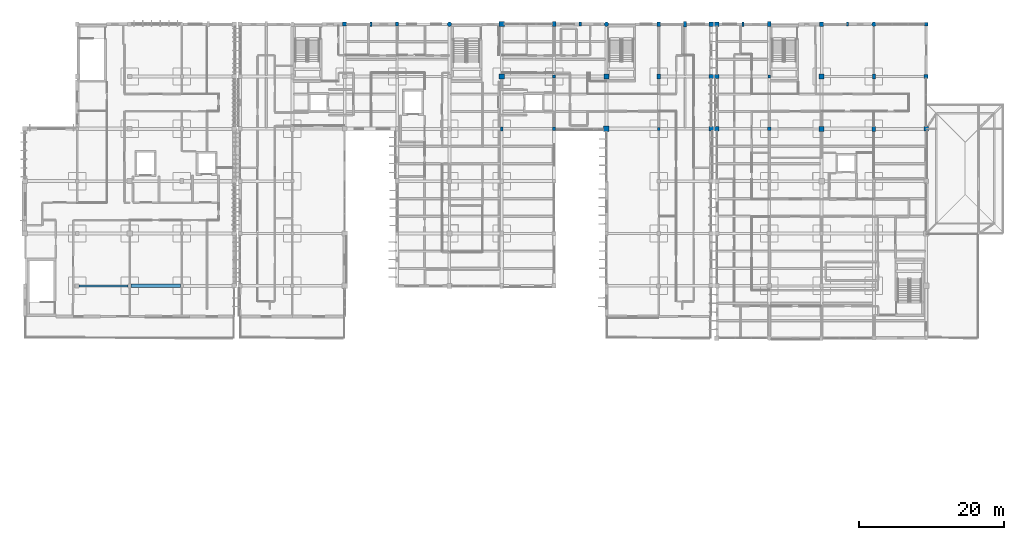
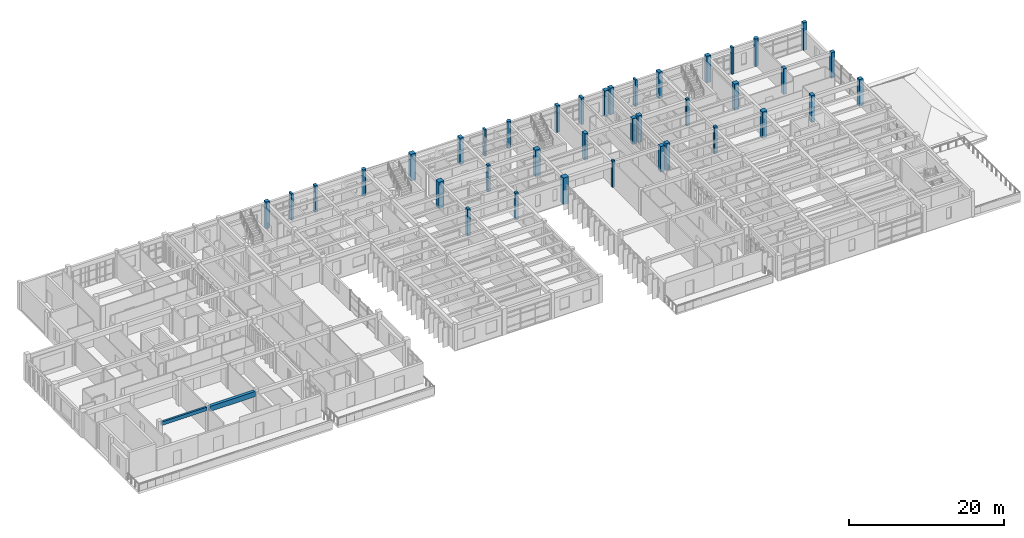
# One storey, part 2 of 55: 38 columns, 2 beams.
"""IFC4 building model written with IfcOpenShell, lengths in metres."""

from ifc_helpers import new_model, si_unit, direction, frame, origin, origin_2d, place, context, subcontext, project, spatial, rectangle, circle, extrude, material, material_profile, profile_set, type_object, element, save


model = new_model("IFC4")

# Units and contexts
model_context = context("Model", 3, precision=1e-05, world=origin(), true_north=direction((0.0, 1.0)))
body_context = subcontext(model_context, "Body", "Model", "MODEL_VIEW")
ifc_project = project(units=[si_unit("LENGTHUNIT", "METRE"), si_unit("AREAUNIT", "SQUARE_METRE"), si_unit("VOLUMEUNIT", "CUBIC_METRE"), si_unit("PLANEANGLEUNIT", "RADIAN"), si_unit("MASSUNIT", "GRAM", prefix="KILO")], contexts=[model_context])

# Site, building, storey
site_placement = place(None, origin())
site = spatial("IfcSite", under=ifc_project, at=site_placement, CompositionType="ELEMENT")
building_placement = place(site_placement, origin())
building = spatial("IfcBuilding", under=site, at=building_placement, Name="Steenspoor Specialist Clinic", CompositionType="ELEMENT")
storey_placement = place(building_placement, frame((0.0, 0.0, 13.199951171875)))
storey = spatial("IfcBuildingStorey", under=building, at=storey_placement, Name="L03", CompositionType="ELEMENT", Elevation=13.199951171875)

# Columns
ifc_material_1 = material(Name="Concrete C40/50", Category="concrete")
ifc_material_profile_1 = material_profile(ifc_material_1, rectangle(XDim=0.39990234375, YDim=0.39990234375, at=origin_2d()), Name="RC-COL-400X400")
ifc_profile_set_1 = profile_set([ifc_material_profile_1], Name="Concrete C40/50")
column_type_1 = type_object("IfcColumnType", Name="COL-RC-400", PredefinedType="COLUMN", material=ifc_profile_set_1)
for number, where, z_axis, x_axis, name in (
    (1, (95.60009765625, 101.14990234375, 0.0), (0.0, 0.0, 1.0), (1.0, 0.0, 0.0), "Column COL-L03-0408"),
    (2, (110.0, 93.949951171875, 0.0), (0.0, 0.0, 1.0), (1.0, 0.0, 0.0), "Column COL-L03-0464"),
    (3, (125.199951171875, 101.14990234375, 0.0), (0.0, 0.0, 1.0), (1.0, 0.0, 0.0), "Column COL-L03-0704"),
):
    element("IfcColumn", number, at=place(storey_placement, frame(where, z_axis=z_axis, x_axis=x_axis)), inside=storey, type_object=column_type_1, Name=name, PredefinedType="COLUMN", context=body_context, shape_type="SweptSolid", body=[
        extrude(rectangle(XDim=0.39990234375, YDim=0.39990234375, at=origin_2d()), origin(), (0.0, 0.0, 1.0), 4.199951171875),
    ])
ifc_material_profile_2 = material_profile(ifc_material_1, rectangle(XDim=0.39990234375, YDim=0.550048828125, at=origin_2d()), Name="RC-COL-400X550")
ifc_profile_set_2 = profile_set([ifc_material_profile_2], Name="Concrete C40/50")
column_type_2 = type_object("IfcColumnType", Name="COL-RC-400X550", PredefinedType="COLUMN", material=ifc_profile_set_2)
for number, where, z_axis, x_axis, name in (
    (4, (74.0, 108.35009765625, 0.0), (0.0, 0.0, 1.0), (1.0, 0.0, 0.0), "Column COL-L03-0303"),
    (5, (88.39990234375, 93.949951171875, 0.0), (0.0, 0.0, 1.0), (1.0, 0.0, 0.0), "Column COL-L03-0365"),
):
    element("IfcColumn", number, at=place(storey_placement, frame(where, z_axis=z_axis, x_axis=x_axis)), inside=storey, type_object=column_type_2, Name=name, PredefinedType="COLUMN", context=body_context, shape_type="SweptSolid", body=[
        extrude(rectangle(XDim=0.39990234375, YDim=0.550048828125, at=origin_2d()), origin(), (0.0, 0.0, 1.0), 4.199951171875),
    ])
ifc_material_profile_3 = material_profile(ifc_material_1, rectangle(XDim=0.449951171875, YDim=0.449951171875, at=origin_2d()), Name="RC-COL-450X450")
ifc_profile_set_3 = profile_set([ifc_material_profile_3], Name="Concrete C40/50")
column_type_3 = type_object("IfcColumnType", Name="COL-RC-450", PredefinedType="COLUMN", material=ifc_profile_set_3)
for number, where, z_axis, x_axis, name in (
    (6, (95.60009765625, 93.949951171875, 0.0), (0.0, 0.0, 1.0), (1.0, 0.0, 0.0), "Column COL-L03-0402"),
    (7, (125.199951171875, 93.949951171875, 0.0), (0.0, 0.0, 1.0), (1.0, 0.0, 0.0), "Column COL-L03-0699"),
):
    element("IfcColumn", number, at=place(storey_placement, frame(where, z_axis=z_axis, x_axis=x_axis)), inside=storey, type_object=column_type_3, Name=name, PredefinedType="COLUMN", context=body_context, shape_type="SweptSolid", body=[
        extrude(rectangle(XDim=0.449951171875, YDim=0.449951171875, at=origin_2d()), origin(), (0.0, 0.0, 1.0), 4.199951171875),
    ])
ifc_material_profile_4 = material_profile(ifc_material_1, rectangle(XDim=0.449951171875, YDim=0.64990234375, at=origin_2d()), Name="RC-COL-450X650")
ifc_profile_set_4 = profile_set([ifc_material_profile_4], Name="Concrete C40/50")
column_type_4 = type_object("IfcColumnType", Name="COL-RC-450X650", PredefinedType="COLUMN", material=ifc_profile_set_4)
column_1_placement = place(storey_placement, frame((110.0, 108.35009765625, 0.0), z_axis=(0.0, 0.0, 1.0), x_axis=(1.0, 0.0, 0.0)))
element("IfcColumn", 8, at=column_1_placement, inside=storey, type_object=column_type_4, Name="Column COL-L03-0476", PredefinedType="COLUMN", context=body_context, shape_type="SweptSolid", body=[
    extrude(rectangle(XDim=0.449951171875, YDim=0.64990234375, at=origin_2d()), origin(), (0.0, 0.0, 1.0), 4.199951171875),
])
column_2_placement = place(storey_placement, frame((139.60009765625, 101.14990234375, 0.0), z_axis=(0.0, 0.0, 1.0), x_axis=(1.0, 0.0, 0.0)))
element("IfcColumn", 9, at=column_2_placement, inside=storey, type_object=column_type_4, Name="Column COL-L03-0772", PredefinedType="COLUMN", context=body_context, shape_type="SweptSolid", body=[
    extrude(rectangle(XDim=0.449951171875, YDim=0.64990234375, at=origin_2d()), origin(), (0.0, 0.0, 1.0), 4.050048828125),
])
ifc_material_profile_5 = material_profile(ifc_material_1, rectangle(XDim=0.5, YDim=0.5, at=origin_2d()), Name="RC-COL-500X500")
ifc_profile_set_5 = profile_set([ifc_material_profile_5], Name="Concrete C40/50")
column_type_5 = type_object("IfcColumnType", Name="COL-RC-500", PredefinedType="COLUMN", material=ifc_profile_set_5)
column_3_placement = place(storey_placement, frame((146.800048828125, 108.35009765625, 0.0), z_axis=(0.0, 0.0, 1.0), x_axis=(1.0, 0.0, 0.0)))
element("IfcColumn", 10, at=column_3_placement, inside=storey, type_object=column_type_5, Name="Column COL-L03-0808", PredefinedType="COLUMN", context=body_context, shape_type="SweptSolid", body=[
    extrude(rectangle(XDim=0.5, YDim=0.5, at=origin_2d()), origin(), (0.0, 0.0, 1.0), 4.360107421875),
])
ifc_material_profile_6 = material_profile(ifc_material_1, rectangle(XDim=0.5, YDim=0.699951171875, at=origin_2d()), Name="RC-COL-500X700")
ifc_profile_set_6 = profile_set([ifc_material_profile_6], Name="Concrete C40/50")
column_type_6 = type_object("IfcColumnType", Name="COL-RC-500X700", PredefinedType="COLUMN", material=ifc_profile_set_6)
for number, where, z_axis, x_axis, name in (
    (11, (95.60009765625, 108.35009765625, 0.0), (0.0, 0.0, 1.0), (1.0, 0.0, 0.0), "Column COL-L03-0414"),
    (12, (110.0, 101.14990234375, 0.0), (0.0, 0.0, 1.0), (1.0, 0.0, 0.0), "Column COL-L03-0470"),
    (13, (125.199951171875, 108.35009765625, 0.0), (0.0, 0.0, 1.0), (1.0, 0.0, 0.0), "Column COL-L03-0709"),
    (14, (139.60009765625, 93.949951171875, 0.0), (0.0, 0.0, 1.0), (1.0, 0.0, 0.0), "Column COL-L03-0767"),
):
    element("IfcColumn", number, at=place(storey_placement, frame(where, z_axis=z_axis, x_axis=x_axis)), inside=storey, type_object=column_type_6, Name=name, PredefinedType="COLUMN", context=body_context, shape_type="SweptSolid", body=[
        extrude(rectangle(XDim=0.5, YDim=0.699951171875, at=origin_2d()), origin(), (0.0, 0.0, 1.0), 4.199951171875),
    ])
ifc_material_profile_7 = material_profile(ifc_material_1, rectangle(XDim=0.550048828125, YDim=0.550048828125, at=origin_2d()), Name="RC-COL-550X550")
ifc_profile_set_7 = profile_set([ifc_material_profile_7], Name="Concrete C40/50")
column_type_7 = type_object("IfcColumnType", Name="COL-RC-550", PredefinedType="COLUMN", material=ifc_profile_set_7)
column_4_placement = place(storey_placement, frame((66.800048828125, 108.35009765625, 0.0), z_axis=(0.0, 0.0, 1.0), x_axis=(1.0, 0.0, 0.0)))
element("IfcColumn", 15, at=column_4_placement, inside=storey, type_object=column_type_7, Name="Column COL-L03-0266", PredefinedType="COLUMN", context=body_context, shape_type="SweptSolid", body=[
    extrude(rectangle(XDim=0.550048828125, YDim=0.550048828125, at=origin_2d()), origin(), (0.0, 0.0, 1.0), 4.199951171875),
])
column_5_placement = place(storey_placement, frame((146.800048828125, 101.14990234375, 0.0), z_axis=(0.0, 0.0, 1.0), x_axis=(1.0, 0.0, 0.0)))
element("IfcColumn", 16, at=column_5_placement, inside=storey, type_object=column_type_7, Name="Column COL-L03-0804", PredefinedType="COLUMN", context=body_context, shape_type="SweptSolid", body=[
    extrude(rectangle(XDim=0.550048828125, YDim=0.550048828125, at=origin_2d()), origin(), (0.0, 0.0, 1.0), 4.050048828125),
])
ifc_material_profile_8 = material_profile(ifc_material_1, rectangle(XDim=0.60009765625, YDim=0.60009765625, at=origin_2d()), Name="RC-COL-600X600")
ifc_profile_set_8 = profile_set([ifc_material_profile_8], Name="Concrete C40/50")
column_type_8 = type_object("IfcColumnType", Name="COL-RC-600", PredefinedType="COLUMN", material=ifc_profile_set_8)
for number, where, z_axis, x_axis, name in (
    (17, (117.199951171875, 93.949951171875, 0.0), (0.0, 0.0, 1.0), (1.0, 0.0, 0.0), "Column COL-L03-0497"),
    (18, (117.199951171875, 101.14990234375, 0.0), (0.0, 0.0, 1.0), (1.0, 0.0, 0.0), "Column COL-L03-0501"),
    (19, (117.199951171875, 108.35009765625, 0.0), (0.0, 0.0, 1.0), (1.0, 0.0, 0.0), "Column COL-L03-0505"),
):
    element("IfcColumn", number, at=place(storey_placement, frame(where, z_axis=z_axis, x_axis=x_axis)), inside=storey, type_object=column_type_8, Name=name, PredefinedType="COLUMN", context=body_context, shape_type="SweptSolid", body=[
        extrude(rectangle(XDim=0.60009765625, YDim=0.60009765625, at=origin_2d()), origin(), (0.0, 0.0, 1.0), 4.050048828125),
    ])
for number, where, z_axis, x_axis, name in (
    (20, (118.0, 93.949951171875, 0.0), (0.0, 0.0, 1.0), (1.0, 0.0, 0.0), "Column COL-L03-0665"),
    (21, (118.0, 101.14990234375, 0.0), (0.0, 0.0, 1.0), (1.0, 0.0, 0.0), "Column COL-L03-0670"),
    (22, (118.0, 108.35009765625, 0.0), (0.0, 0.0, 1.0), (1.0, 0.0, 0.0), "Column COL-L03-0675"),
    (23, (132.39990234375, 108.35009765625, 0.0), (0.0, 0.0, 1.0), (1.0, 0.0, 0.0), "Column COL-L03-0743"),
    (24, (146.800048828125, 93.949951171875, 0.0), (0.0, 0.0, 1.0), (1.0, 0.0, 0.0), "Column COL-L03-0799"),
):
    element("IfcColumn", number, at=place(storey_placement, frame(where, z_axis=z_axis, x_axis=x_axis)), inside=storey, type_object=column_type_8, Name=name, PredefinedType="COLUMN", context=body_context, shape_type="SweptSolid", body=[
        extrude(rectangle(XDim=0.60009765625, YDim=0.60009765625, at=origin_2d()), origin(), (0.0, 0.0, 1.0), 4.199951171875),
    ])
ifc_material_profile_9 = material_profile(ifc_material_1, rectangle(XDim=0.64990234375, YDim=0.64990234375, at=origin_2d()), Name="RC-COL-650X650")
ifc_profile_set_9 = profile_set([ifc_material_profile_9], Name="Concrete C40/50")
column_type_9 = type_object("IfcColumnType", Name="COL-RC-650", PredefinedType="COLUMN", material=ifc_profile_set_9)
column_6_placement = place(storey_placement, frame((132.39990234375, 101.14990234375, 0.0), z_axis=(0.0, 0.0, 1.0), x_axis=(1.0, 0.0, 0.0)))
element("IfcColumn", 25, at=column_6_placement, inside=storey, type_object=column_type_9, Name="Column COL-L03-0738", PredefinedType="COLUMN", context=body_context, shape_type="SweptSolid", body=[
    extrude(rectangle(XDim=0.64990234375, YDim=0.64990234375, at=origin_2d()), origin(), (0.0, 0.0, 1.0), 4.199951171875),
])
ifc_material_profile_10 = material_profile(ifc_material_1, rectangle(XDim=0.699951171875, YDim=0.699951171875, at=origin_2d()), Name="RC-COL-700X700")
ifc_profile_set_10 = profile_set([ifc_material_profile_10], Name="Concrete C40/50")
column_type_10 = type_object("IfcColumnType", Name="COL-RC-700", PredefinedType="COLUMN", material=ifc_profile_set_10)
for number, where, z_axis, x_axis, name in (
    (26, (88.39990234375, 108.35009765625, 0.0), (0.0, 0.0, 1.0), (1.0, 0.0, 0.0), "Column COL-L03-0377"),
    (27, (102.800048828125, 101.14990234375, 0.0), (0.0, 0.0, 1.0), (1.0, 0.0, 0.0), "Column COL-L03-0437"),
    (28, (132.39990234375, 93.949951171875, 0.0), (0.0, 0.0, 1.0), (1.0, 0.0, 0.0), "Column COL-L03-0733"),
):
    element("IfcColumn", number, at=place(storey_placement, frame(where, z_axis=z_axis, x_axis=x_axis)), inside=storey, type_object=column_type_10, Name=name, PredefinedType="COLUMN", context=body_context, shape_type="SweptSolid", body=[
        extrude(rectangle(XDim=0.699951171875, YDim=0.699951171875, at=origin_2d()), origin(), (0.0, 0.0, 1.0), 4.199951171875),
    ])
ifc_material_profile_11 = material_profile(ifc_material_1, rectangle(XDim=0.75, YDim=0.75, at=origin_2d()), Name="RC-COL-750X750")
ifc_profile_set_11 = profile_set([ifc_material_profile_11], Name="Concrete C40/50")
column_type_11 = type_object("IfcColumnType", Name="COL-RC-750", PredefinedType="COLUMN", material=ifc_profile_set_11)
for number, where, z_axis, x_axis, name in (
    (29, (88.39990234375, 101.14990234375, 0.0), (0.0, 0.0, 1.0), (1.0, 0.0, 0.0), "Column COL-L03-0371"),
    (30, (102.800048828125, 93.949951171875, 0.0), (0.0, 0.0, 1.0), (1.0, 0.0, 0.0), "Column COL-L03-0431"),
):
    element("IfcColumn", number, at=place(storey_placement, frame(where, z_axis=z_axis, x_axis=x_axis)), inside=storey, type_object=column_type_11, Name=name, PredefinedType="COLUMN", context=body_context, shape_type="SweptSolid", body=[
        extrude(rectangle(XDim=0.75, YDim=0.75, at=origin_2d()), origin(), (0.0, 0.0, 1.0), 4.199951171875),
    ])
ifc_material_profile_12 = material_profile(ifc_material_1, circle(Radius=0.300048828125, at=origin_2d()), Name="RC-COL-D600")
ifc_profile_set_12 = profile_set([ifc_material_profile_12], Name="Concrete C40/50")
column_type_12 = type_object("IfcColumnType", Name="COL-RC-D600", PredefinedType="COLUMN", material=ifc_profile_set_12)
for number, where, z_axis, x_axis, name in (
    (31, (81.199951171875, 108.35009765625, 0.0), (0.0, 0.0, 1.0), (1.0, 0.0, 0.0), "Column COL-L03-0340"),
    (32, (102.800048828125, 108.35009765625, 0.0), (0.0, 0.0, 1.0), (1.0, 0.0, 0.0), "Column COL-L03-0443"),
):
    element("IfcColumn", number, at=place(storey_placement, frame(where, z_axis=z_axis, x_axis=x_axis)), inside=storey, type_object=column_type_12, Name=name, PredefinedType="COLUMN", context=body_context, shape_type="SweptSolid", body=[
        extrude(circle(Radius=0.300048828125, at=origin_2d()), origin(), (0.0, 0.0, 1.0), 4.199951171875),
    ])
column_7_placement = place(storey_placement, frame((139.60009765625, 108.35009765625, 0.0), z_axis=(0.0, 0.0, 1.0), x_axis=(1.0, 0.0, 0.0)))
element("IfcColumn", 33, at=column_7_placement, inside=storey, type_object=column_type_12, Name="Column COL-L03-0776", PredefinedType="COLUMN", context=body_context, shape_type="SweptSolid", body=[
    extrude(circle(Radius=0.300048828125, at=origin_2d()), origin(), (0.0, 0.0, 1.0), 4.360107421875),
])
ifc_material_profile_13 = material_profile(ifc_material_1, rectangle(XDim=0.280029296875, YDim=0.56005859375, at=origin_2d()), Name="RC-PIL-280X560")
ifc_profile_set_13 = profile_set([ifc_material_profile_13], Name="Concrete C40/50")
column_type_13 = type_object("IfcColumnType", Name="PIL-RC-280X560", PredefinedType="PILASTER", material=ifc_profile_set_13)
for number, where, z_axis, x_axis, name in (
    (34, (99.199951171875, 108.35009765625, 0.0), (0.0, 0.0, 1.0), (1.0, 0.0, 0.0), "Brick Pilaster PIL-L03-026"),
    (35, (136.0, 108.35009765625, 0.0), (0.0, 0.0, 1.0), (1.0, 0.0, 0.0), "Brick Pilaster PIL-L03-045"),
):
    element("IfcColumn", number, at=place(storey_placement, frame(where, z_axis=z_axis, x_axis=x_axis)), inside=storey, type_object=column_type_13, Name=name, PredefinedType="PILASTER", context=body_context, shape_type="SweptSolid", body=[
        extrude(rectangle(XDim=0.280029296875, YDim=0.56005859375, at=origin_2d()), origin(), (0.0, 0.0, 1.0), 4.199951171875),
    ])
ifc_material_profile_14 = material_profile(ifc_material_1, rectangle(XDim=0.300048828125, YDim=0.6201171875, at=origin_2d()), Name="RC-PIL-300X620")
ifc_profile_set_14 = profile_set([ifc_material_profile_14], Name="Concrete C40/50")
column_type_14 = type_object("IfcColumnType", Name="PIL-RC-300X620", PredefinedType="PILASTER", material=ifc_profile_set_14)
for number, where, z_axis, x_axis, name in (
    (36, (70.39990234375, 108.35009765625, 0.0), (0.0, 0.0, 1.0), (1.0, 0.0, 0.0), "Brick Pilaster PIL-L03-020"),
    (37, (121.60009765625, 108.35009765625, 0.0), (0.0, 0.0, 1.0), (1.0, 0.0, 0.0), "Brick Pilaster PIL-L03-040"),
):
    element("IfcColumn", number, at=place(storey_placement, frame(where, z_axis=z_axis, x_axis=x_axis)), inside=storey, type_object=column_type_14, Name=name, PredefinedType="PILASTER", context=body_context, shape_type="SweptSolid", body=[
        extrude(rectangle(XDim=0.300048828125, YDim=0.6201171875, at=origin_2d()), origin(), (0.0, 0.0, 1.0), 4.199951171875),
    ])
ifc_material_profile_15 = material_profile(ifc_material_1, rectangle(XDim=0.3798828125, YDim=0.760009765625, at=origin_2d()), Name="RC-PIL-380X760")
ifc_profile_set_15 = profile_set([ifc_material_profile_15], Name="Concrete C40/50")
column_type_15 = type_object("IfcColumnType", Name="PIL-RC-380X760", PredefinedType="PILASTER", material=ifc_profile_set_15)
column_8_placement = place(storey_placement, frame((113.60009765625, 108.35009765625, 0.0), z_axis=(0.0, 0.0, 1.0), x_axis=(1.0, 0.0, 0.0)))
element("IfcColumn", 38, at=column_8_placement, inside=storey, type_object=column_type_15, Name="Brick Pilaster PIL-L03-032", PredefinedType="PILASTER", context=body_context, shape_type="SweptSolid", body=[
    extrude(rectangle(XDim=0.3798828125, YDim=0.760009765625, at=origin_2d()), origin(), (0.0, 0.0, 1.0), 4.199951171875),
])

# Beams
ifc_material_2 = material(Name="Concrete C35/45", Category="concrete")
ifc_material_profile_16 = material_profile(ifc_material_2, rectangle(XDim=0.300048828125, YDim=0.550048828125, at=origin_2d()), Name="RC-BM-300X550")
ifc_profile_set_16 = profile_set([ifc_material_profile_16], Name="Concrete C35/45")
beam_type_1 = type_object("IfcBeamType", Name="BM-RC-300X550", PredefinedType="BEAM", material=ifc_profile_set_16)
beam_1_placement = place(storey_placement, frame((30.27001953125, 72.35009765625, 3.760009765625), z_axis=(1.0, 0.0, 0.0), x_axis=(0.0, 1.0, 0.0)))
element("IfcBeam", 39, at=beam_1_placement, inside=storey, type_object=beam_type_1, Name="BM-V5-L03-X1336", PredefinedType="BEAM", context=body_context, shape_type="SweptSolid", body=[
    extrude(rectangle(XDim=0.300048828125, YDim=0.550048828125, at=origin_2d()), origin(), (0.0, 0.0, 1.0), 6.73486328125),
])
ifc_material_profile_17 = material_profile(ifc_material_2, rectangle(XDim=0.449951171875, YDim=0.800048828125, at=origin_2d()), Name="RC-BM-450X800")
ifc_profile_set_17 = profile_set([ifc_material_profile_17], Name="Concrete C35/45")
beam_type_2 = type_object("IfcBeamType", Name="BM-RC-450X800", PredefinedType="BEAM", material=ifc_profile_set_17)
beam_2_placement = place(storey_placement, frame((37.39501953125, 72.35009765625, 3.635009765625), z_axis=(1.0, 0.0, 0.0), x_axis=(0.0, 1.0, 0.0)))
element("IfcBeam", 40, at=beam_2_placement, inside=storey, type_object=beam_type_2, Name="BM-V5-L03-X1337", PredefinedType="BEAM", context=body_context, shape_type="SweptSolid", body=[
    extrude(rectangle(XDim=0.449951171875, YDim=0.800048828125, at=origin_2d()), origin(), (0.0, 0.0, 1.0), 6.784912109375),
])

save(model, "model.ifc")
